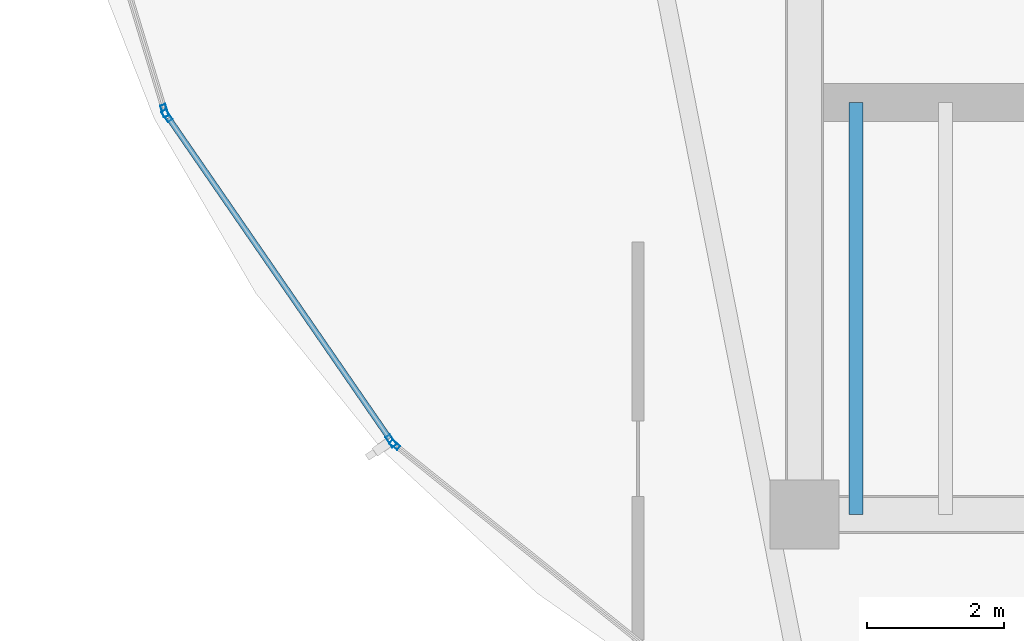
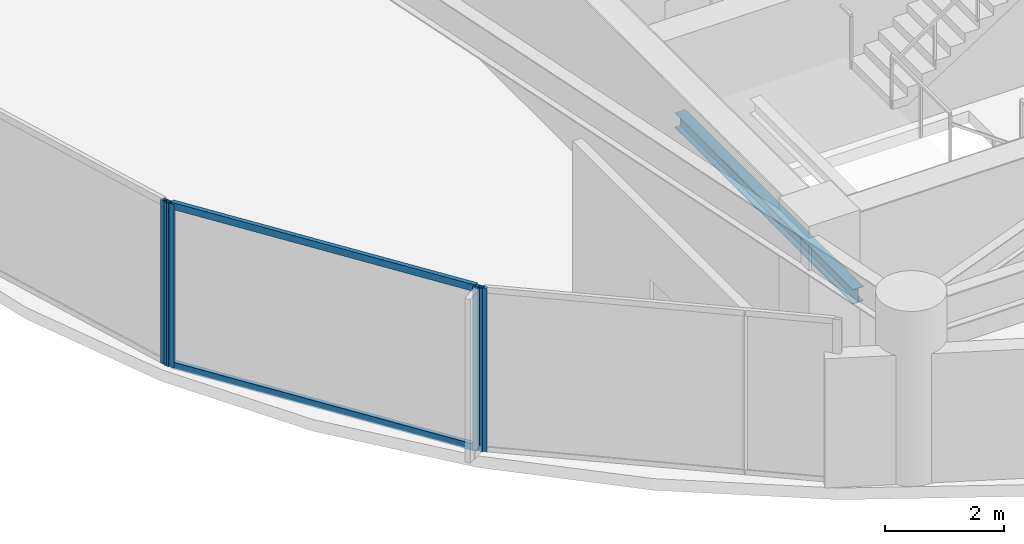
# One storey, part 3 of 34: 6 members, 1 beam, 3 elements without a shape of their own.
"""IFC4 building model written with IfcOpenShell, lengths in metres."""

from ifc_helpers import new_model, si_unit, direction, frame, origin, origin_2d, place, context, subcontext, project, spatial, hollow_rectangle, i_section, extrude, material, layer, layer_set, material_profile, profile_set, type_object, element, aggregate, save


model = new_model("IFC4")

# Units and contexts
model_context = context("Model", 3, precision=1e-05, world=origin(), true_north=direction((0.0, 1.0)))
body_context = subcontext(model_context, "Body", "Model", "MODEL_VIEW")
ifc_project = project(units=[si_unit("LENGTHUNIT", "METRE"), si_unit("AREAUNIT", "SQUARE_METRE"), si_unit("VOLUMEUNIT", "CUBIC_METRE"), si_unit("PLANEANGLEUNIT", "RADIAN"), si_unit("MASSUNIT", "GRAM", prefix="KILO")], contexts=[model_context])

# Site, building, storey
site_placement = place(None, origin())
site = spatial("IfcSite", under=ifc_project, at=site_placement, CompositionType="ELEMENT")
building_placement = place(site_placement, origin())
building = spatial("IfcBuilding", under=site, at=building_placement, Name="Kazevale Care Tower and Concert Hall", CompositionType="ELEMENT")
storey_placement = place(building_placement, frame((0.0, 0.0, 163.800048828125)))
storey = spatial("IfcBuildingStorey", under=building, at=storey_placement, Name="L43", CompositionType="ELEMENT", Elevation=163.800048828125)

# Curtain wall, members
ifc_material_1 = material(Name="Aluminium 6063-T6 and Low-E Glass", Category="aluminium")
ifc_layer_1 = layer(ifc_material_1, 0.179931640625)
ifc_layer_set_1 = layer_set([ifc_layer_1], Name="Aluminium 6063-T6 and Low-E Glass")
curtain_wall_type_1 = type_object("IfcCurtainWallType", Name="Waist & Upper Residential Curtain Wall CW-4", PredefinedType="NOTDEFINED", material=ifc_layer_set_1)
curtain_wall_1_placement = place(storey_placement, origin())
curtain_wall_1 = element("IfcCurtainWall", 1, at=curtain_wall_1_placement, inside=storey, type_object=curtain_wall_type_1, Name="cw:L43:f11", PredefinedType="NOTDEFINED")
ifc_material_2 = material(Name="Aluminium 6063-T6", Category="aluminium")
ifc_material_profile_1 = material_profile(ifc_material_2, hollow_rectangle(XDim=0.080078125, YDim=0.179931640625, WallThickness=0.0048828125, at=origin_2d()), Name="ALU80x180x5")
ifc_profile_set_1 = profile_set([ifc_material_profile_1], Name="Aluminium 6063-T6")
member_type_1 = type_object("IfcMemberType", Name="CW-4 Mullion ALU80x180x5", PredefinedType="MULLION", material=ifc_profile_set_1)
member_1_placement = place(storey_placement, frame((15.981201171875, 24.6708984375, 0.0), z_axis=(0.0, 0.0, 1.0), x_axis=(-0.823326035997, -0.567568708131, 0.0)))
member_1 = element("IfcMember", 2, at=member_1_placement, type_object=member_type_1, Name="CW-4 mullion 1", PredefinedType="MULLION", context=body_context, shape_type="SweptSolid", body=[
    extrude(hollow_rectangle(XDim=0.080078125, YDim=0.179931640625, WallThickness=0.0048828125, at=origin_2d()), origin(), (0.0, 0.0, 1.0), 3.35986328125),
])
member_2_placement = place(storey_placement, frame((12.7158203125, 29.407958984375, 0.0), z_axis=(0.0, 0.0, 1.0), x_axis=(-0.823326035997, -0.567568708131, 0.0)))
member_2 = element("IfcMember", 3, at=member_2_placement, type_object=member_type_1, Name="CW-4 mullion 2", PredefinedType="MULLION", context=body_context, shape_type="SweptSolid", body=[
    extrude(hollow_rectangle(XDim=0.080078125, YDim=0.179931640625, WallThickness=0.0048828125, at=origin_2d()), origin(), (0.0, 0.0, 1.0), 3.35986328125),
])

# Curtain wall, member
curtain_wall_2_placement = place(storey_placement, origin())
curtain_wall_2 = element("IfcCurtainWall", 4, at=curtain_wall_2_placement, inside=storey, type_object=curtain_wall_type_1, Name="cw:L43:f12", PredefinedType="NOTDEFINED")
member_3_placement = place(storey_placement, frame((12.681396484375, 29.479248046875, 0.0), z_axis=(0.0, 0.0, 1.0), x_axis=(-0.956729897234, -0.290977496961, 0.0)))
member_3 = element("IfcMember", 5, at=member_3_placement, type_object=member_type_1, Name="CW-4 mullion 1", PredefinedType="MULLION", context=body_context, shape_type="SweptSolid", body=[
    extrude(hollow_rectangle(XDim=0.080078125, YDim=0.179931640625, WallThickness=0.0048828125, at=origin_2d()), origin(), (0.0, 0.0, 1.0), 3.35986328125),
])
aggregate(curtain_wall_2, [member_3])

# Member
ifc_material_profile_2 = material_profile(ifc_material_2, hollow_rectangle(XDim=0.080078125, YDim=0.139892578125, WallThickness=0.00390625, at=origin_2d()), Name="ALU80x140x4")
ifc_profile_set_2 = profile_set([ifc_material_profile_2], Name="Aluminium 6063-T6")
member_type_2 = type_object("IfcMemberType", Name="CW-4 Transom ALU80x140x4", PredefinedType="USERDEFINED", material=ifc_profile_set_2)
member_4_placement = place(storey_placement, frame((15.95849609375, 24.703857421875, 0.0400390625), z_axis=(-0.567532833811, 0.823350765194, 0.0), x_axis=(-0.823350765194, -0.567532833811, 0.0)))
member_4 = element("IfcMember", 6, at=member_4_placement, type_object=member_type_2, Name="CW-4 transom 1.1", ObjectType="TRANSOM", PredefinedType="USERDEFINED", context=body_context, shape_type="SweptSolid", body=[
    extrude(hollow_rectangle(XDim=0.080078125, YDim=0.139892578125, WallThickness=0.00390625, at=origin_2d()), origin(), (0.0, 0.0, 1.0), 5.673583984375),
])

member_5_placement = place(storey_placement, frame((15.95849609375, 24.703857421875, 3.320068359375), z_axis=(-0.567532833811, 0.823350765194, 0.0), x_axis=(-0.823350765194, -0.567532833811, 0.0)))
member_5 = element("IfcMember", 7, at=member_5_placement, type_object=member_type_2, Name="CW-4 transom 1.2", ObjectType="TRANSOM", PredefinedType="USERDEFINED", context=body_context, shape_type="SweptSolid", body=[
    extrude(hollow_rectangle(XDim=0.080078125, YDim=0.139892578125, WallThickness=0.00390625, at=origin_2d()), origin(), (0.0, 0.0, 1.0), 5.673583984375),
])

aggregate(curtain_wall_1, [member_1, member_2, member_4, member_5])

# Curtain wall, member
ifc_layer_2 = layer(ifc_material_1, 0.179931640625)
ifc_layer_set_2 = layer_set([ifc_layer_2], Name="Aluminium 6063-T6 and Low-E Glass")
curtain_wall_type_2 = type_object("IfcCurtainWallType", Name="Sheltered Concave Balcony Curtain Wall CW-5", PredefinedType="NOTDEFINED", material=ifc_layer_set_2)
curtain_wall_3_placement = place(storey_placement, origin())
curtain_wall_3 = element("IfcCurtainWall", 8, at=curtain_wall_3_placement, inside=storey, type_object=curtain_wall_type_2, Name="cw:L43:f10", PredefinedType="NOTDEFINED")
ifc_material_profile_3 = material_profile(ifc_material_2, hollow_rectangle(XDim=0.074951171875, YDim=0.14990234375, WallThickness=0.00390625, at=origin_2d()), Name="ALU75x150x4")
ifc_profile_set_3 = profile_set([ifc_material_profile_3], Name="Aluminium 6063-T6")
member_type_3 = type_object("IfcMemberType", Name="CW-5 Mullion ALU75x150x4", PredefinedType="MULLION", material=ifc_profile_set_3)
member_6_placement = place(storey_placement, frame((16.033203125, 24.614501953125, 0.0), z_axis=(0.0, 0.0, 1.0), x_axis=(-0.626905357502, -0.779095419531, 0.0)))
member_6 = element("IfcMember", 9, at=member_6_placement, type_object=member_type_3, Name="CW-5 mullion 2", PredefinedType="MULLION", context=body_context, shape_type="SweptSolid", body=[
    extrude(hollow_rectangle(XDim=0.074951171875, YDim=0.14990234375, WallThickness=0.00390625, at=origin_2d()), origin(), (0.0, 0.0, 1.0), 3.35986328125),
])
aggregate(curtain_wall_3, [member_6])

# Beam
ifc_material_3 = material(Name="Steel ASTM A572 Gr 50", Category="steel")
ifc_material_profile_4 = material_profile(ifc_material_3, i_section(OverallWidth=0.202880859375, OverallDepth=0.302978515625, WebThickness=0.007568359375, FlangeThickness=0.01318359375, at=origin_2d()), Name="W310x60")
ifc_profile_set_4 = profile_set([ifc_material_profile_4], Name="Steel ASTM A572 Gr 50")
beam_type = type_object("IfcBeamType", Name="Stair & Balcony Trimmer W310x60", PredefinedType="BEAM", material=ifc_profile_set_4)
beam_placement = place(storey_placement, frame((22.75, 23.60009765625, 1.448486328125), z_axis=(0.0, 1.0, 0.0), x_axis=(-1.0, 0.0, 0.0)))
element("IfcBeam", 10, at=beam_placement, inside=storey, type_object=beam_type, Name="beam:L43:sttrim:ST1", PredefinedType="BEAM", context=body_context, shape_type="SweptSolid", body=[
    extrude(i_section(OverallWidth=0.202880859375, OverallDepth=0.302978515625, WebThickness=0.007568359375, FlangeThickness=0.01318359375, at=origin_2d()), origin(), (0.0, 0.0, 1.0), 6.0),
])

save(model, "model.ifc")
